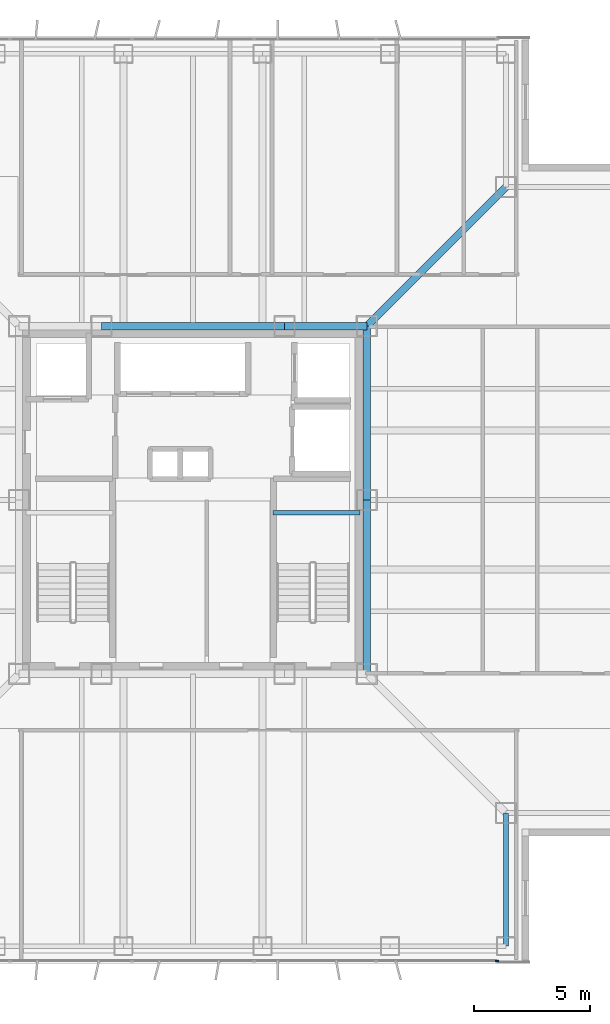
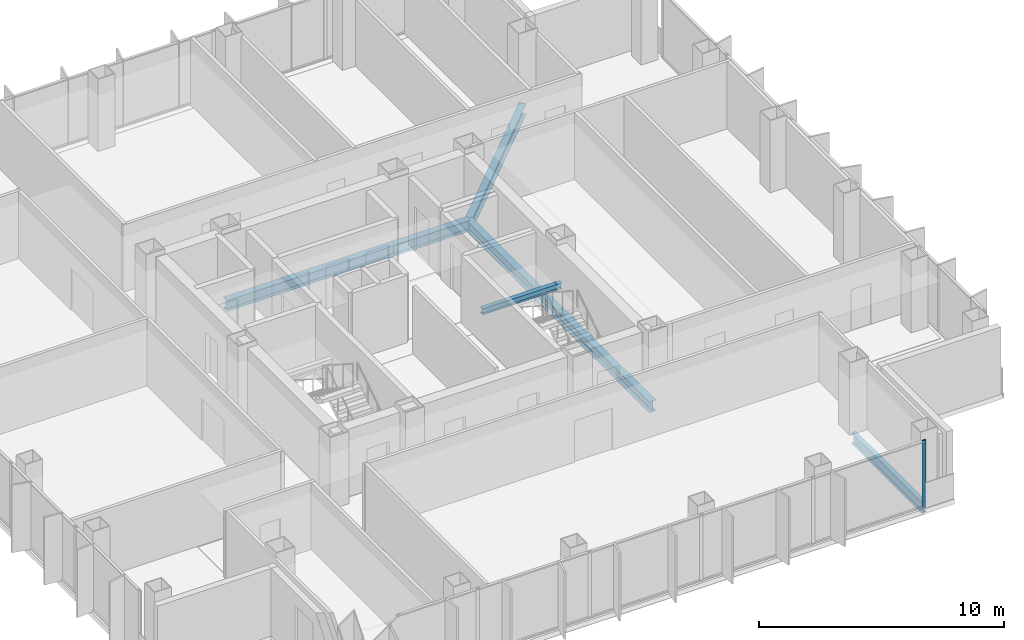
# One storey, part 5 of 17: 7 beams, 1 member, 1 element without a shape of its own.
"""IFC4 building model written with IfcOpenShell, lengths in metres."""

from ifc_helpers import new_model, si_unit, direction, frame, origin, origin_2d, place, context, subcontext, project, spatial, rectangle, i_section, extrude, material, layer, layer_set, material_profile, profile_set, type_object, element, aggregate, save


model = new_model("IFC4")

# Units and contexts
model_context = context("Model", 3, precision=1e-05, world=origin(), true_north=direction((0.0, 1.0)))
body_context = subcontext(model_context, "Body", "Model", "MODEL_VIEW")
ifc_project = project(units=[si_unit("LENGTHUNIT", "METRE"), si_unit("AREAUNIT", "SQUARE_METRE"), si_unit("VOLUMEUNIT", "CUBIC_METRE"), si_unit("PLANEANGLEUNIT", "RADIAN"), si_unit("MASSUNIT", "GRAM", prefix="KILO")], contexts=[model_context])

# Site, building, storey
site_placement = place(None, origin())
site = spatial("IfcSite", under=ifc_project, at=site_placement, CompositionType="ELEMENT")
building_placement = place(site_placement, origin())
building = spatial("IfcBuilding", under=site, at=building_placement, Name="Trevonay Congress Spire", CompositionType="ELEMENT")
storey_placement = place(building_placement, frame((0.0, 0.0, 184.199951171875)))
storey = spatial("IfcBuildingStorey", under=building, at=storey_placement, Name="L47", CompositionType="ELEMENT", Elevation=184.199951171875)

# Beams
ifc_material_1 = material(Name="Steel ASTM A572 Grade 50", Category="steel")
ifc_material_profile_1 = material_profile(ifc_material_1, i_section(OverallWidth=0.31201171875, OverallDepth=0.54296875, WebThickness=0.0126953125, FlangeThickness=0.020263671875, FilletRadius=0.014892578125, at=origin_2d()), Name="W530x150")
ifc_profile_set_1 = profile_set([ifc_material_profile_1], Name="Steel ASTM A572 Grade 50")
beam_type_1 = type_object("IfcBeamType", Name="BM-GIRD-W530X150", PredefinedType="BEAM", material=ifc_profile_set_1)
beam_1_placement = place(storey_placement, frame((-3.949951171875, 7.5, -0.511474609375), z_axis=(1.0, 0.0, 0.0), x_axis=(0.0, 1.0, 0.0)))
element("IfcBeam", 1, at=beam_1_placement, inside=storey, type_object=beam_type_1, Name="L47 structural beam BM-L47-CR-N2", PredefinedType="BEAM", context=body_context, shape_type="SweptSolid", body=[
    extrude(i_section(OverallWidth=0.31201171875, OverallDepth=0.54296875, WebThickness=0.0126953125, FlangeThickness=0.020263671875, FilletRadius=0.014892578125, at=origin_2d()), origin(), (0.0, 0.0, 1.0), 7.89990234375),
])
beam_2_placement = place(storey_placement, frame((3.949951171875, 7.5, -0.511474609375), z_axis=(1.0, 0.0, 0.0), x_axis=(0.0, 1.0, 0.0)))
element("IfcBeam", 2, at=beam_2_placement, inside=storey, type_object=beam_type_1, Name="L47 structural beam BM-L47-CR-N3", PredefinedType="BEAM", context=body_context, shape_type="SweptSolid", body=[
    extrude(i_section(OverallWidth=0.31201171875, OverallDepth=0.54296875, WebThickness=0.0126953125, FlangeThickness=0.020263671875, FilletRadius=0.014892578125, at=origin_2d()), origin(), (0.0, 0.0, 1.0), 3.550048828125),
])
for number, where, z_axis, x_axis, name in (
    (3, (7.5, -7.5, -0.511474609375), (0.0, 1.0, 0.0), (-1.0, 0.0, 0.0), "L47 structural beam BM-L47-CR-E1"),
    (4, (7.5, 0.0, -0.511474609375), (0.0, 1.0, 0.0), (-1.0, 0.0, 0.0), "L47 structural beam BM-L47-CR-E2"),
):
    element("IfcBeam", number, at=place(storey_placement, frame(where, z_axis=z_axis, x_axis=x_axis)), inside=storey, type_object=beam_type_1, Name=name, PredefinedType="BEAM", context=body_context, shape_type="SweptSolid", body=[
        extrude(i_section(OverallWidth=0.31201171875, OverallDepth=0.54296875, WebThickness=0.0126953125, FlangeThickness=0.020263671875, FilletRadius=0.014892578125, at=origin_2d()), origin(), (0.0, 0.0, 1.0), 7.5),
    ])
beam_3_placement = place(storey_placement, frame((7.5, 7.5, -0.511474609375), z_axis=(0.707106781187, 0.707106781187, 0.0), x_axis=(-0.707106781187, 0.707106781187, 0.0)))
element("IfcBeam", 5, at=beam_3_placement, inside=storey, type_object=beam_type_1, Name="L47 structural beam BM-L47-CDNE", PredefinedType="BEAM", context=body_context, shape_type="SweptSolid", body=[
    extrude(i_section(OverallWidth=0.31201171875, OverallDepth=0.54296875, WebThickness=0.0126953125, FlangeThickness=0.020263671875, FilletRadius=0.014892578125, at=origin_2d()), origin(), (0.0, 0.0, 1.0), 8.4853515625),
])
ifc_material_profile_2 = material_profile(ifc_material_1, i_section(OverallWidth=0.2119140625, OverallDepth=0.5439453125, WebThickness=0.01318359375, FlangeThickness=0.021240234375, FilletRadius=0.014892578125, at=origin_2d()), Name="W530x123")
ifc_profile_set_2 = profile_set([ifc_material_profile_2], Name="Steel ASTM A572 Grade 50")
beam_type_2 = type_object("IfcBeamType", Name="BM-RING-W530X123", PredefinedType="BEAM", material=ifc_profile_set_2)
beam_4_placement = place(storey_placement, frame((13.5, -19.25, -0.511962890625), z_axis=(0.0, 1.0, 0.0), x_axis=(-1.0, 0.0, 0.0)))
element("IfcBeam", 6, at=beam_4_placement, inside=storey, type_object=beam_type_2, Name="L47 structural beam BM-L47-N1SE", PredefinedType="BEAM", context=body_context, shape_type="SweptSolid", body=[
    extrude(i_section(OverallWidth=0.2119140625, OverallDepth=0.5439453125, WebThickness=0.01318359375, FlangeThickness=0.021240234375, FilletRadius=0.014892578125, at=origin_2d()), origin(), (0.0, 0.0, 1.0), 5.75),
])

# Curtain wall, member
ifc_material_2 = material(Name="Pale Anodised Aluminium EN AW-6063-T6", Category="aluminium")
ifc_layer = layer(ifc_material_2, 0.169921875, Name="Pale Anodised Aluminium EN AW-6063-T6")
ifc_layer_set = layer_set([ifc_layer], Name="Pale Anodised Aluminium EN AW-6063-T6")
curtain_wall_type = type_object("IfcCurtainWallType", Name="CW-SYS04-CORP-PALE-METAL", PredefinedType="NOTDEFINED", material=ifc_layer_set)
curtain_wall_placement = place(storey_placement, origin())
curtain_wall = element("IfcCurtainWall", 7, at=curtain_wall_placement, inside=storey, type_object=curtain_wall_type, Name="L47 S unitised curtain wall", PredefinedType="NOTDEFINED")
ifc_material_profile_3 = material_profile(ifc_material_2, rectangle(XDim=0.06005859375, YDim=0.159912109375, at=origin_2d()), Name="CW-MULLION-160-ALUMINIUM")
ifc_profile_set_3 = profile_set([ifc_material_profile_3], Name="Pale Anodised Aluminium EN AW-6063-T6")
member_type = type_object("IfcMemberType", Name="CW-MULLION-160-ALUMINIUM", PredefinedType="MULLION", material=ifc_profile_set_3)
member_placement = place(storey_placement, frame((13.1201171875, -19.8798828125, 0.0), z_axis=(0.0, 0.0, 1.0), x_axis=(0.0, 1.0, 0.0)))
member = element("IfcMember", 8, at=member_placement, type_object=member_type, Name="CW04 mullion 6", PredefinedType="MULLION", context=body_context, shape_type="SweptSolid", body=[
    extrude(rectangle(XDim=0.06005859375, YDim=0.159912109375, at=origin_2d()), origin(), (0.0, 0.0, 1.0), 3.360107421875),
])
aggregate(curtain_wall, [member])

# Beam
ifc_material_profile_4 = material_profile(ifc_material_1, i_section(OverallWidth=0.2041015625, OverallDepth=0.305908203125, WebThickness=0.008544921875, FlangeThickness=0.0146484375, FilletRadius=0.010986328125, at=origin_2d()), Name="W310x67")
ifc_profile_set_4 = profile_set([ifc_material_profile_4], Name="Steel ASTM A572 Grade 50")
beam_type_3 = type_object("IfcBeamType", Name="LN-CORE-W310X67", PredefinedType="LINTEL", material=ifc_profile_set_4)
beam_5_placement = place(storey_placement, frame((3.449951171875, -0.550048828125, 1.447021484375), z_axis=(1.0, 0.0, 0.0), x_axis=(0.0, 1.0, 0.0)))
element("IfcBeam", 9, at=beam_5_placement, inside=storey, type_object=beam_type_3, Name="L47 structural beam BM-L47-HL-ST2", PredefinedType="LINTEL", context=body_context, shape_type="SweptSolid", body=[
    extrude(i_section(OverallWidth=0.2041015625, OverallDepth=0.305908203125, WebThickness=0.008544921875, FlangeThickness=0.0146484375, FilletRadius=0.010986328125, at=origin_2d()), origin(), (0.0, 0.0, 1.0), 3.75),
])

save(model, "model.ifc")
